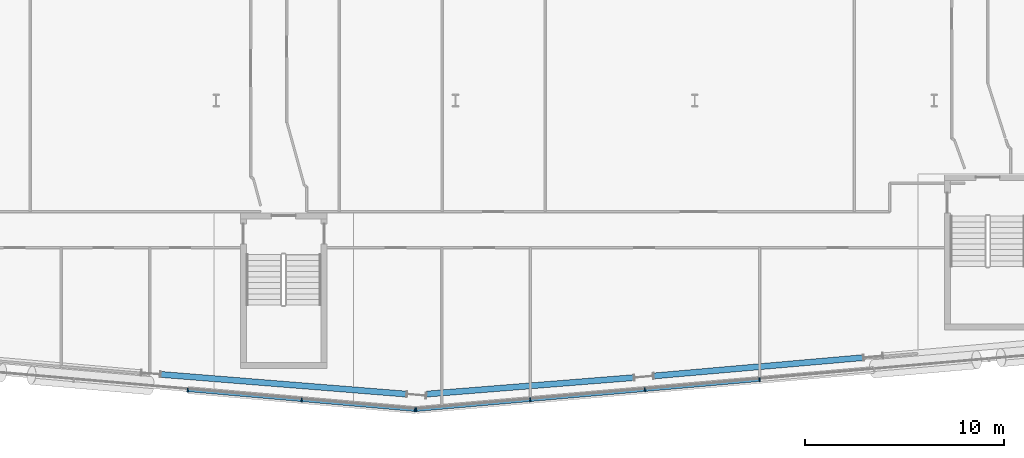
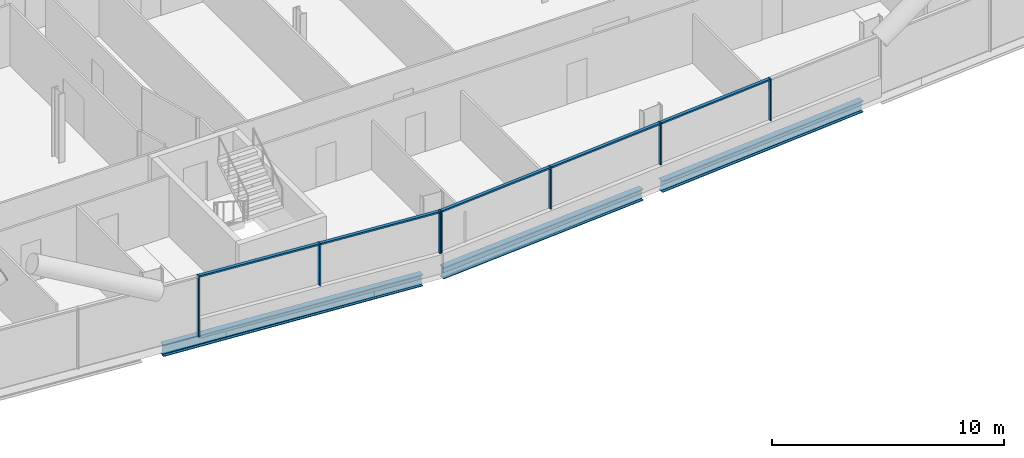
# One storey, part 6 of 28: 12 members, 3 beams, 2 elements without a shape of their own.
"""IFC4 building model written with IfcOpenShell, lengths in metres."""

from ifc_helpers import new_model, si_unit, direction, frame, origin, origin_2d, place, context, subcontext, project, spatial, rectangle, i_section, extrude, material, material_profile, profile_set, type_object, element, aggregate, save


model = new_model("IFC4")

# Units and contexts
model_context = context("Model", 3, precision=1e-05, world=origin(), true_north=direction((0.0, 1.0)))
body_context = subcontext(model_context, "Body", "Model", "MODEL_VIEW")
ifc_project = project(units=[si_unit("LENGTHUNIT", "METRE"), si_unit("AREAUNIT", "SQUARE_METRE"), si_unit("VOLUMEUNIT", "CUBIC_METRE"), si_unit("PLANEANGLEUNIT", "RADIAN"), si_unit("MASSUNIT", "GRAM", prefix="KILO")], contexts=[model_context])

# Site, building, storey
site_placement = place(None, origin())
site = spatial("IfcSite", under=ifc_project, at=site_placement, CompositionType="ELEMENT")
building_placement = place(site_placement, origin())
building = spatial("IfcBuilding", under=site, at=building_placement, Name="Wharfspan Tower", CompositionType="ELEMENT")
storey_placement = place(building_placement, frame((0.0, 0.0, 52.300049)))
storey = spatial("IfcBuildingStorey", under=building, at=storey_placement, Name="L09", CompositionType="ELEMENT", Elevation=52.300049)

# Beams
ifc_material_1 = material(Name="Steel S355J2", Category="steel")
ifc_material_profile_1 = material_profile(ifc_material_1, i_section(OverallWidth=0.300049, OverallDepth=0.600098, WebThickness=0.015381, FlangeThickness=0.030029, FilletRadius=0.0271, at=origin_2d()))
ifc_profile_set_1 = profile_set([ifc_material_profile_1], Name="Steel S355J2")
beam_type = type_object("IfcBeamType", Name="Edge beam HEB 600", PredefinedType="SPANDREL", material=ifc_profile_set_1)
beam_1_placement = place(storey_placement, frame((33.222656, -2.240479, -0.699951), z_axis=(0.996802, -0.079913, 0.0), x_axis=(0.079913, 0.996802, 0.0)))
element("IfcBeam", 1, at=beam_1_placement, inside=storey, type_object=beam_type, Name="Edge beam S1 L09 PS1.3 to PS1.4", PredefinedType="SPANDREL", context=body_context, shape_type="SweptSolid", body=[
    extrude(i_section(OverallWidth=0.300049, OverallDepth=0.600098, WebThickness=0.015381, FlangeThickness=0.030029, FilletRadius=0.0271, at=origin_2d()), origin(), (0.0, 0.0, 1.0), 12.36084),
])
beam_2_placement = place(storey_placement, frame((46.547852, -3.228027, -0.699951), z_axis=(0.996848, 0.079335, 0.0), x_axis=(-0.079335, 0.996848, 0.0)))
element("IfcBeam", 2, at=beam_2_placement, inside=storey, type_object=beam_type, Name="Edge beam S2 L09 PS1.4 to PS2.1", PredefinedType="SPANDREL", context=body_context, shape_type="SweptSolid", body=[
    extrude(i_section(OverallWidth=0.300049, OverallDepth=0.600098, WebThickness=0.015381, FlangeThickness=0.030029, FilletRadius=0.0271, at=origin_2d()), origin(), (0.0, 0.0, 1.0), 10.429199),
])
beam_3_placement = place(storey_placement, frame((57.940674, -2.317383, -0.699951), z_axis=(0.996195, 0.087155, 0.0), x_axis=(-0.087155, 0.996195, 0.0)))
element("IfcBeam", 3, at=beam_3_placement, inside=storey, type_object=beam_type, Name="Edge beam S2 L09 PS2.1 to PS2.2", PredefinedType="SPANDREL", context=body_context, shape_type="SweptSolid", body=[
    extrude(i_section(OverallWidth=0.300049, OverallDepth=0.600098, WebThickness=0.015381, FlangeThickness=0.030029, FilletRadius=0.0271, at=origin_2d()), origin(), (0.0, 0.0, 1.0), 10.543701),
])

# Curtain wall, members
ifc_material_2 = material(Name="Aluminium 6063-T6", Category="aluminium")
curtain_wall_type = type_object("IfcCurtainWallType", Name="CURTAIN WALL FACETED FRONT", PredefinedType="NOTDEFINED", material=ifc_material_2)
curtain_wall_1_placement = place(storey_placement, origin())
curtain_wall_1 = element("IfcCurtainWall", 4, at=curtain_wall_1_placement, inside=storey, type_object=curtain_wall_type, Name="Curtain wall S1", PredefinedType="NOTDEFINED")
ifc_material_profile_2 = material_profile(ifc_material_2, rectangle(XDim=0.199951, YDim=0.060059, at=origin_2d()))
ifc_profile_set_2 = profile_set([ifc_material_profile_2], Name="Aluminium 6063-T6")
member_type_1 = type_object("IfcMemberType", Name="MULLION FACETED FRONT 60x200", PredefinedType="MULLION", material=ifc_profile_set_2)
member_1_placement = place(storey_placement, frame((34.571533, -3.024658, 0.0), z_axis=(0.0, 0.0, 1.0), x_axis=(0.087156, 0.996197, 0.0)))
member_1 = element("IfcMember", 5, at=member_1_placement, type_object=member_type_1, Name="Curtain wall S1 mullion 6", PredefinedType="MULLION", context=body_context, shape_type="SweptSolid", body=[
    extrude(rectangle(XDim=0.199951, YDim=0.060059, at=origin_2d()), origin(), (0.0, 0.0, 1.0), 3.199951),
])
member_2_placement = place(storey_placement, frame((40.285645, -3.524658, 1.0), z_axis=(0.0, 0.0, 1.0), x_axis=(0.087156, 0.996197, 0.0)))
member_2 = element("IfcMember", 6, at=member_2_placement, type_object=member_type_1, Name="Curtain wall S1 mullion 7", PredefinedType="MULLION", context=body_context, shape_type="SweptSolid", body=[
    extrude(rectangle(XDim=0.199951, YDim=0.060059, at=origin_2d()), origin(), (0.0, 0.0, 1.0), 2.199951),
])
member_3_placement = place(storey_placement, frame((45.970215, -4.021973, 1.0), z_axis=(0.0, 0.0, 1.0), x_axis=(0.087156, 0.996197, 0.0)))
member_3 = element("IfcMember", 7, at=member_3_placement, type_object=member_type_1, Name="Curtain wall S1 mullion 8", PredefinedType="MULLION", context=body_context, shape_type="SweptSolid", body=[
    extrude(rectangle(XDim=0.199951, YDim=0.060059, at=origin_2d()), origin(), (0.0, 0.0, 1.0), 2.199951),
])

curtain_wall_2_placement = place(storey_placement, origin())
curtain_wall_2 = element("IfcCurtainWall", 8, at=curtain_wall_2_placement, inside=storey, type_object=curtain_wall_type, Name="Curtain wall S2", PredefinedType="NOTDEFINED")
member_4_placement = place(storey_placement, frame((46.029785, -4.021973, 1.0), z_axis=(0.0, 0.0, 1.0), x_axis=(-0.087156, 0.996197, 0.0)))
member_4 = element("IfcMember", 9, at=member_4_placement, type_object=member_type_1, Name="Curtain wall S2 mullion 1", PredefinedType="MULLION", context=body_context, shape_type="SweptSolid", body=[
    extrude(rectangle(XDim=0.199951, YDim=0.060059, at=origin_2d()), origin(), (0.0, 0.0, 1.0), 2.199951),
])
member_5_placement = place(storey_placement, frame((51.75, -3.521484, 1.0), z_axis=(0.0, 0.0, 1.0), x_axis=(-0.087156, 0.996197, 0.0)))
member_5 = element("IfcMember", 10, at=member_5_placement, type_object=member_type_1, Name="Curtain wall S2 mullion 2", PredefinedType="MULLION", context=body_context, shape_type="SweptSolid", body=[
    extrude(rectangle(XDim=0.199951, YDim=0.060059, at=origin_2d()), origin(), (0.0, 0.0, 1.0), 2.199951),
])
member_6_placement = place(storey_placement, frame((57.5, -3.018311, 1.0), z_axis=(0.0, 0.0, 1.0), x_axis=(-0.087156, 0.996197, 0.0)))
member_6 = element("IfcMember", 11, at=member_6_placement, type_object=member_type_1, Name="Curtain wall S2 mullion 3", PredefinedType="MULLION", context=body_context, shape_type="SweptSolid", body=[
    extrude(rectangle(XDim=0.199951, YDim=0.060059, at=origin_2d()), origin(), (0.0, 0.0, 1.0), 2.199951),
])
member_7_placement = place(storey_placement, frame((63.25, -2.515381, 1.0), z_axis=(0.0, 0.0, 1.0), x_axis=(-0.087156, 0.996197, 0.0)))
member_7 = element("IfcMember", 12, at=member_7_placement, type_object=member_type_1, Name="Curtain wall S2 mullion 4", PredefinedType="MULLION", context=body_context, shape_type="SweptSolid", body=[
    extrude(rectangle(XDim=0.199951, YDim=0.060059, at=origin_2d()), origin(), (0.0, 0.0, 1.0), 2.199951),
])

# Member
ifc_material_profile_3 = material_profile(ifc_material_2, rectangle(XDim=0.159912, YDim=0.080078, at=origin_2d()))
ifc_profile_set_3 = profile_set([ifc_material_profile_3], Name="Aluminium 6063-T6")
member_type_2 = type_object("IfcMemberType", Name="TRANSOM FACETED FRONT 80x160", PredefinedType="USERDEFINED", material=ifc_profile_set_3)
member_8_placement = place(storey_placement, frame((34.601318, -3.027344, 3.159912), z_axis=(0.996196, -0.087142, 0.0), x_axis=(0.087142, 0.996196, 0.0)))
member_8 = element("IfcMember", 13, at=member_8_placement, type_object=member_type_2, Name="Curtain wall S1 transom 6", ObjectType="TRANSOM", PredefinedType="USERDEFINED", context=body_context, shape_type="SweptSolid", body=[
    extrude(rectangle(XDim=0.159912, YDim=0.080078, at=origin_2d()), origin(), (0.0, 0.0, 1.0), 5.676025),
])

member_9_placement = place(storey_placement, frame((40.315674, -3.5271, 3.159912), z_axis=(0.996193, -0.087174, 0.0), x_axis=(0.087174, 0.996193, 0.0)))
member_9 = element("IfcMember", 14, at=member_9_placement, type_object=member_type_2, Name="Curtain wall S1 transom 7", ObjectType="TRANSOM", PredefinedType="USERDEFINED", context=body_context, shape_type="SweptSolid", body=[
    extrude(rectangle(XDim=0.159912, YDim=0.080078, at=origin_2d()), origin(), (0.0, 0.0, 1.0), 5.645996),
])

aggregate(curtain_wall_1, [member_1, member_2, member_3, member_8, member_9])

member_10_placement = place(storey_placement, frame((46.059814, -4.019287, 3.159912), z_axis=(0.996193, 0.08718, 0.0), x_axis=(-0.08718, 0.996193, 0.0)))
member_10 = element("IfcMember", 15, at=member_10_placement, type_object=member_type_2, Name="Curtain wall S2 transom 1", ObjectType="TRANSOM", PredefinedType="USERDEFINED", context=body_context, shape_type="SweptSolid", body=[
    extrude(rectangle(XDim=0.159912, YDim=0.080078, at=origin_2d()), origin(), (0.0, 0.0, 1.0), 5.682129),
])

member_11_placement = place(storey_placement, frame((51.779785, -3.518799, 3.159912), z_axis=(0.996195, 0.087148, 0.0), x_axis=(-0.087148, 0.996195, 0.0)))
member_11 = element("IfcMember", 16, at=member_11_placement, type_object=member_type_2, Name="Curtain wall S2 transom 2", ObjectType="TRANSOM", PredefinedType="USERDEFINED", context=body_context, shape_type="SweptSolid", body=[
    extrude(rectangle(XDim=0.159912, YDim=0.080078, at=origin_2d()), origin(), (0.0, 0.0, 1.0), 5.712158),
])

member_12_placement = place(storey_placement, frame((57.529785, -3.015625, 3.159912), z_axis=(0.996195, 0.087148, 0.0), x_axis=(-0.087148, 0.996195, 0.0)))
member_12 = element("IfcMember", 17, at=member_12_placement, type_object=member_type_2, Name="Curtain wall S2 transom 3", ObjectType="TRANSOM", PredefinedType="USERDEFINED", context=body_context, shape_type="SweptSolid", body=[
    extrude(rectangle(XDim=0.159912, YDim=0.080078, at=origin_2d()), origin(), (0.0, 0.0, 1.0), 5.712158),
])

aggregate(curtain_wall_2, [member_4, member_5, member_6, member_7, member_10, member_11, member_12])

save(model, "model.ifc")
